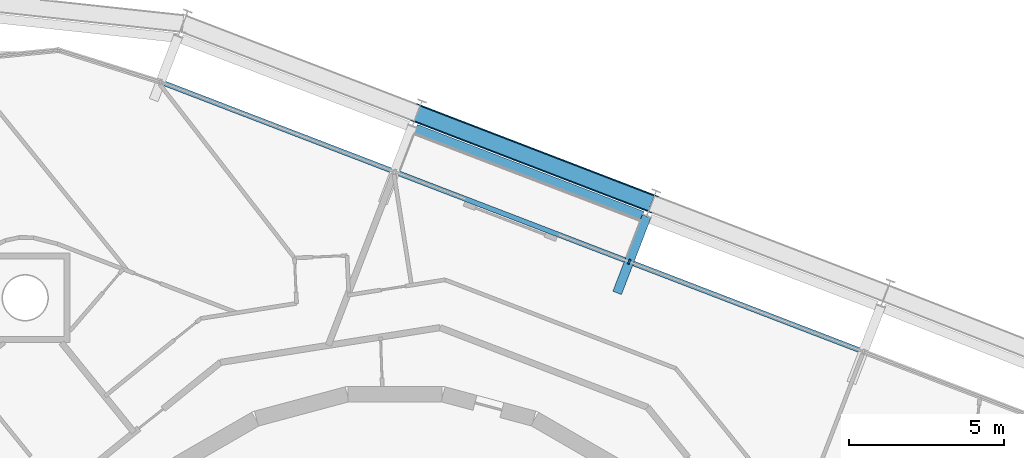
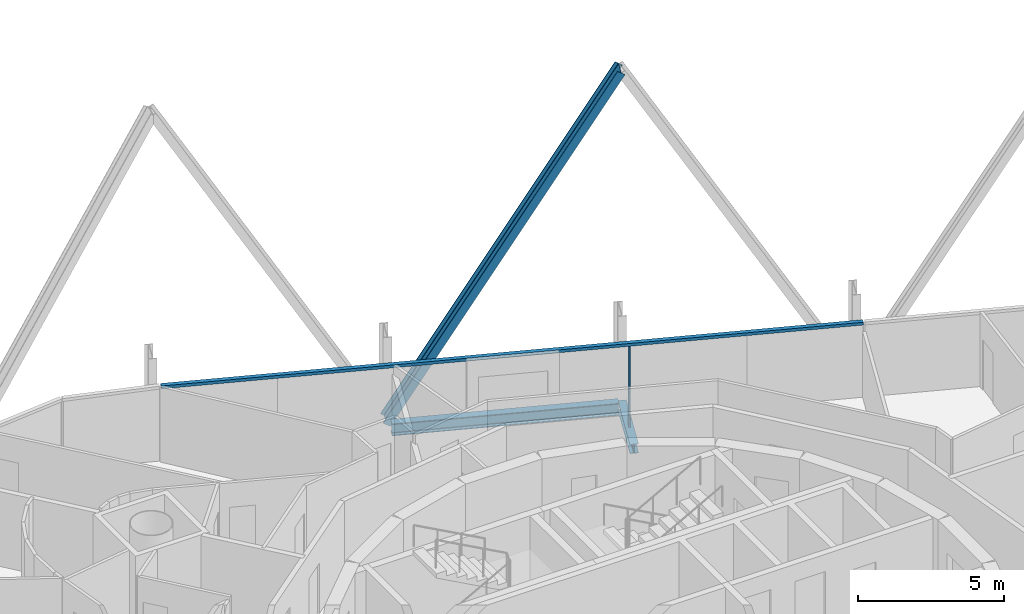
# One storey, part 7 of 18: 3 members, 2 beams, 1 element without a shape of its own.
"""IFC4 building model written with IfcOpenShell, lengths in metres."""

import ifcopenshell
import ifcopenshell.guid

model = None  # the IFC model being written
_history = None  # IfcOwnerHistory: only IFC2X3 demands one
_inside = {}  # id of a spatial element -> (the spatial element, [elements in it])
_under = {}  # id of a project, library or spatial element -> (it, [spatial elements below it])
_declared = {}  # id of a project -> (the project, [libraries it declares])
_typed = {}  # id of a type object -> (the type object, [elements of that type])
_made_of = {}  # id of a material, layer set ... -> (it, [elements and type objects made of it])


def new_model(schema):
    """Start an empty IFC model of exactly this schema.

    Asked for "IFC4X3", IfcOpenShell would pick the latest addendum, in which some entities
    have other attributes; the version numbers below select the first issue.
    IFC2X3 requires an IfcOwnerHistory on every rooted entity: one is made here for all.
    """
    global model, _history
    if schema == "IFC4X3":
        model = ifcopenshell.file(schema_version=(4, 3, 0, 0))
    else:
        model = ifcopenshell.file(schema=schema)
    _inside.clear()
    _under.clear()
    _declared.clear()
    _typed.clear()
    _made_of.clear()
    _history = None
    if model.schema == "IFC2X3":
        org = make("IfcOrganization", Name="unknown")
        user = make(
            "IfcPersonAndOrganization",
            ThePerson=make("IfcPerson", FamilyName="unknown"),
            TheOrganization=org,
        )
        app = make(
            "IfcApplication",
            ApplicationDeveloper=org,
            Version="unknown",
            ApplicationFullName="unknown",
            ApplicationIdentifier="unknown",
        )
        _history = make(
            "IfcOwnerHistory",
            OwningUser=user,
            OwningApplication=app,
            ChangeAction="ADDED",
            CreationDate=0,
        )
    return model


def make(cls, **values):
    """One entity of the class cls with the attributes given. An attribute that is None is left unset."""
    return model.create_entity(
        cls, **{name: value for name, value in values.items() if value is not None}
    )


def rooted(cls, **values):
    """An entity with a GlobalId (a new one), such as an element, a storey or a relation."""
    return make(cls, GlobalId=ifcopenshell.guid.new(), OwnerHistory=_history, **values)


def si_unit(unit_type, name, prefix=None):
    """IfcSIUnit, for example si_unit("LENGTHUNIT", "METRE", prefix="MILLI")."""
    return make("IfcSIUnit", UnitType=unit_type, Prefix=prefix, Name=name)


def assignment(units):
    """IfcUnitAssignment: the units of a project."""
    return None if units is None else make("IfcUnitAssignment", Units=units)


def point(xyz):
    """IfcCartesianPoint."""
    return None if xyz is None else make("IfcCartesianPoint", Coordinates=xyz)


def direction(xyz):
    """IfcDirection."""
    return None if xyz is None else make("IfcDirection", DirectionRatios=xyz)


def frame(location, z_axis=None, x_axis=None):
    """IfcAxis2Placement3D, a coordinate frame: its origin and axes. An axis left out is left unset."""
    return make(
        "IfcAxis2Placement3D",
        Location=point(location),
        Axis=direction(z_axis),
        RefDirection=direction(x_axis),
    )


def frame_2d(location, x_axis=None):
    """IfcAxis2Placement2D, a coordinate frame in the plane: its origin and x axis."""
    return make(
        "IfcAxis2Placement2D", Location=point(location), RefDirection=direction(x_axis)
    )


def origin():
    """The frame at (0, 0, 0) with its axes left unset."""
    return frame((0.0, 0.0, 0.0))


def origin_2d():
    """The frame at (0, 0) in the plane with its x axis left unset."""
    return frame_2d((0.0, 0.0))


def place(relative_to, where):
    """IfcLocalPlacement: puts the frame where relative to a parent placement (None: the world)."""
    return make(
        "IfcLocalPlacement", PlacementRelTo=relative_to, RelativePlacement=where
    )


def context(
    kind, dimensions, precision=None, world=None, true_north=None, identifier=None
):
    """IfcGeometricRepresentationContext, for example the 3D "Model" context."""
    return make(
        "IfcGeometricRepresentationContext",
        ContextIdentifier=identifier,
        ContextType=kind,
        CoordinateSpaceDimension=dimensions,
        Precision=precision,
        WorldCoordinateSystem=world,
        TrueNorth=true_north,
    )


def subcontext(parent, identifier, kind, view, scale=None):
    """IfcGeometricRepresentationSubContext, for example "Body" below "Model"."""
    return make(
        "IfcGeometricRepresentationSubContext",
        ContextIdentifier=identifier,
        ContextType=kind,
        ParentContext=parent,
        TargetScale=scale,
        TargetView=view,
    )


def project(units=None, contexts=None):
    """IfcProject with its units and contexts."""
    return rooted(
        "IfcProject",
        Name="project",
        RepresentationContexts=contexts,
        UnitsInContext=assignment(units),
    )


def spatial(cls, under=None, at=None, **own):
    """A site, building, storey or space (cls), placed at a placement, below another one or the project."""
    s = rooted(cls, ObjectPlacement=at, **own)
    if under is not None:
        _under.setdefault(under.id(), (under, []))[1].append(s)
    return s


def profile(cls, at=None, kind="AREA", **sizes):
    """A parametric profile (cls). Its sizes go by their IFC names, for example OverallWidth=200.0."""
    return make(cls, ProfileType=kind, Position=at, **sizes)


def rectangle(**sizes):
    """IfcRectangleProfileDef."""
    return profile("IfcRectangleProfileDef", **sizes)


def i_section(**sizes):
    """IfcIShapeProfileDef."""
    return profile("IfcIShapeProfileDef", **sizes)


def extrude(swept, where, along, depth):
    """IfcExtrudedAreaSolid: the profile swept, set in the frame where, extruded along a direction by depth."""
    return make(
        "IfcExtrudedAreaSolid",
        SweptArea=swept,
        Position=where,
        ExtrudedDirection=direction(along),
        Depth=depth,
    )


def shape(context_of_items, identifier, shape_type, items):
    """IfcShapeRepresentation: the items that make up one representation, for example the "Body"."""
    return make(
        "IfcShapeRepresentation",
        ContextOfItems=context_of_items,
        RepresentationIdentifier=identifier,
        RepresentationType=shape_type,
        Items=items,
    )


def material(Name=None, Category=None):
    """IfcMaterial."""
    return make("IfcMaterial", Name=Name, Category=Category)


def layer(
    of_material, thickness, ventilated=None, Name=None, Category=None, Priority=None
):
    """IfcMaterialLayer: one layer of a wall or slab, of a material (None: an air gap)."""
    return make(
        "IfcMaterialLayer",
        Material=of_material,
        LayerThickness=thickness,
        IsVentilated=ventilated,
        Name=Name,
        Category=Category,
        Priority=Priority,
    )


def layer_set(layers, Name=None):
    """IfcMaterialLayerSet."""
    return make("IfcMaterialLayerSet", MaterialLayers=layers, LayerSetName=Name)


def material_profile(
    of_material, cross_section, Name=None, Category=None, Priority=None
):
    """IfcMaterialProfile: a cross section and its material."""
    return make(
        "IfcMaterialProfile",
        Name=Name,
        Material=of_material,
        Profile=cross_section,
        Priority=Priority,
        Category=Category,
    )


def profile_set(profiles, Name=None, composite=None):
    """IfcMaterialProfileSet."""
    return make(
        "IfcMaterialProfileSet",
        Name=Name,
        MaterialProfiles=profiles,
        CompositeProfile=composite,
    )


def made_of(thing, what):
    """Note that an element or type object is made of a material, layer set ...; save() writes the relation."""
    if what is not None:
        _made_of.setdefault(what.id(), (what, []))[1].append(thing)
    return thing


def type_object(cls, material=None, **own):
    """A type object (cls), such as IfcWallType, which elements share."""
    return made_of(rooted(cls, **own), material)


def element(
    cls,
    number,
    at=None,
    inside=None,
    cuts=None,
    type_object=None,
    material=None,
    context=None,
    identifier="Body",
    shape_type=None,
    held_by="IfcProductDefinitionShape",
    body=None,
    shapes=None,
    **own,
):
    """One element of the class cls, such as IfcWall. Its Tag is "e" and its number.

    at: its placement. inside: the storey or other place that contains it. cuts: it is an
    opening in that element (IfcRelVoidsElement). A single representation is given by context,
    identifier, shape_type and body (its items); several are given by shapes. held_by: the class
    of the entity that holds the representations. save() writes the other relations.
    """
    e = rooted(cls, Tag="e%d" % number, ObjectPlacement=at, **own)
    if body is not None:
        shapes = [shape(context, identifier, shape_type, body)]
    if shapes is not None:
        e.Representation = make(held_by, Representations=shapes)
    if inside is not None:
        _inside.setdefault(inside.id(), (inside, []))[1].append(e)
    if cuts is not None:
        rooted(
            "IfcRelVoidsElement", RelatingBuildingElement=cuts, RelatedOpeningElement=e
        )
    if type_object is not None:
        _typed.setdefault(type_object.id(), (type_object, []))[1].append(e)
    return made_of(e, material)


def aggregate(whole, parts):
    """IfcRelAggregates: a whole, such as a stair, and the parts it consists of."""
    return rooted("IfcRelAggregates", RelatingObject=whole, RelatedObjects=parts)


def save(model, path):
    """Write the relations noted so far, then the file.

    IfcRelAggregates (storeys below a building ...), IfcRelContainedInSpatialStructure (elements
    in a storey), IfcRelDefinesByType, IfcRelAssociatesMaterial and IfcRelDeclares: one each for
    every whole, place, type object, material and project.
    """
    for whole, parts in _under.values():
        aggregate(whole, parts)
    for where, things in _inside.values():
        rooted(
            "IfcRelContainedInSpatialStructure",
            RelatedElements=things,
            RelatingStructure=where,
        )
    for kind, things in _typed.values():
        rooted("IfcRelDefinesByType", RelatedObjects=things, RelatingType=kind)
    for what, things in _made_of.values():
        rooted("IfcRelAssociatesMaterial", RelatedObjects=things, RelatingMaterial=what)
    for by, libraries in _declared.values():
        rooted("IfcRelDeclares", RelatingContext=by, RelatedDefinitions=libraries)
    model.write(path)


model = new_model("IFC4")

# Units and contexts
model_context = context("Model", 3, precision=1e-05, world=origin(), true_north=direction((0.0, 1.0)))
body_context = subcontext(model_context, "Body", "Model", "MODEL_VIEW")
ifc_project = project(units=[si_unit("LENGTHUNIT", "METRE"), si_unit("AREAUNIT", "SQUARE_METRE"), si_unit("VOLUMEUNIT", "CUBIC_METRE"), si_unit("PLANEANGLEUNIT", "RADIAN"), si_unit("MASSUNIT", "GRAM", prefix="KILO")], contexts=[model_context])

# Site, building, storey
site_placement = place(None, origin())
site = spatial("IfcSite", under=ifc_project, at=site_placement, CompositionType="ELEMENT")
building_placement = place(site_placement, origin())
building = spatial("IfcBuilding", under=site, at=building_placement, Name="Spindle Arch Residences", CompositionType="ELEMENT")
storey_placement = place(building_placement, frame((0.0, 0.0, 277.39990234375)))
storey = spatial("IfcBuildingStorey", under=building, at=storey_placement, Name="L71", CompositionType="ELEMENT", Elevation=277.39990234375)

# Curtain wall, members
ifc_material_1 = material(Name="Aluminium bronze unitised frame with tinted glass", Category="aluminium")
ifc_layer = layer(ifc_material_1, 0.159912109375)
ifc_layer_set = layer_set([ifc_layer], Name="CW-C typical residential unitised wall")
curtain_wall_type = type_object("IfcCurtainWallType", Name="CW-C typical residential unitised wall", PredefinedType="NOTDEFINED", material=ifc_layer_set)
curtain_wall_placement = place(storey_placement, origin())
curtain_wall = element("IfcCurtainWall", 1, at=curtain_wall_placement, inside=storey, type_object=curtain_wall_type, Name="CW-C L71 run 2", PredefinedType="NOTDEFINED")
ifc_material_2 = material(Name="Aluminium bronze anodised mullion", Category="aluminium")
ifc_material_profile_1 = material_profile(ifc_material_2, rectangle(XDim=0.159912109375, YDim=0.06005859375, at=origin_2d()), Name="MU 60x160")
ifc_profile_set_1 = profile_set([ifc_material_profile_1], Name="Aluminium bronze anodised mullion")
member_type_1 = type_object("IfcMemberType", Name="Bronze mullion 60x160", PredefinedType="MULLION", material=ifc_profile_set_1)
member_1_placement = place(storey_placement, frame((7.560302734375, 15.9248046875, -0.3798828125), z_axis=(0.0, 0.0, 1.0), x_axis=(-0.358367949545, -0.933580426497, 0.0)))
member_1 = element("IfcMember", 2, at=member_1_placement, type_object=member_type_1, Name="CW-C mullion 06", PredefinedType="MULLION", context=body_context, shape_type="SweptSolid", body=[
    extrude(rectangle(XDim=0.159912109375, YDim=0.06005859375, at=origin_2d()), origin(), (0.0, 0.0, 1.0), 3.3798828125),
])
ifc_material_3 = material(Name="Aluminium bronze anodised transom", Category="aluminium")
ifc_material_profile_2 = material_profile(ifc_material_3, rectangle(XDim=0.159912109375, YDim=0.1201171875, at=origin_2d()), Name="TR 120x160")
ifc_profile_set_2 = profile_set([ifc_material_profile_2], Name="Aluminium bronze anodised transom")
member_type_2 = type_object("IfcMemberType", Name="Bronze transom 120x160", PredefinedType="USERDEFINED", material=ifc_profile_set_2)
member_2_placement = place(storey_placement, frame((15.1015625, 13.0302734375, 3.06005859375), z_axis=(-0.933583473728, 0.358360011138, 0.0), x_axis=(-0.358360011138, -0.933583473728, 0.0)))
member_2 = element("IfcMember", 3, at=member_2_placement, type_object=member_type_2, Name="CW-C transom 00", ObjectType="TRANSOM", PredefinedType="USERDEFINED", context=body_context, shape_type="SweptSolid", body=[
    extrude(rectangle(XDim=0.159912109375, YDim=0.1201171875, at=origin_2d()), origin(), (0.0, 0.0, 1.0), 24.262939453125),
])
aggregate(curtain_wall, [member_2, member_1])

# Member
ifc_material_4 = material(Name="Steel S460ML, intumescent coating R 240", Category="steel")
ifc_material_profile_3 = material_profile(ifc_material_4, i_section(OverallWidth=0.300048828125, OverallDepth=0.60009765625, WebThickness=0.015380859375, FlangeThickness=0.030029296875, FilletRadius=0.027099609375, at=origin_2d()), Name="HEB 600")
ifc_profile_set_3 = profile_set([ifc_material_profile_3], Name="Steel S460ML, intumescent coating R 240")
member_type_3 = type_object("IfcMemberType", Name="Diagrid diagonal HEB 600", PredefinedType="BRACE", material=ifc_profile_set_3)
member_3_placement = place(storey_placement, frame((0.715087890625, 20.71630859375, -0.6298828125), z_axis=(0.473598267241, -0.181798309146, 0.861773784736), x_axis=(-0.804534587734, 0.308833536387, 0.5072927596)))
element("IfcMember", 4, at=member_3_placement, inside=storey, type_object=member_type_3, Name="Diagrid diagonal 7.2.7", PredefinedType="BRACE", context=body_context, shape_type="SweptSolid", body=[
    extrude(i_section(OverallWidth=0.300048828125, OverallDepth=0.60009765625, WebThickness=0.015380859375, FlangeThickness=0.030029296875, FilletRadius=0.027099609375, at=origin_2d()), origin(), (0.0, 0.0, 1.0), 15.982177734375),
])

# Beams
ifc_material_5 = material(Name="Steel S460ML, intumescent coating R 120", Category="steel")
ifc_material_profile_4 = material_profile(ifc_material_5, i_section(OverallWidth=0.300048828125, OverallDepth=0.5, WebThickness=0.014404296875, FlangeThickness=0.028076171875, FilletRadius=0.027099609375, at=origin_2d()), Name="HEB 500")
ifc_profile_set_4 = profile_set([ifc_material_profile_4], Name="Steel S460ML, intumescent coating R 120")
beam_type_1 = type_object("IfcBeamType", Name="Exoskeleton edge beam HEB 500", PredefinedType="BEAM", material=ifc_profile_set_4)
beam_1_placement = place(storey_placement, frame((7.990966796875, 17.4091796875, -0.6298828125), z_axis=(-0.933573929793, 0.358384873579, 0.0), x_axis=(-0.358384873579, -0.933573929793, 0.0)))
element("IfcBeam", 5, at=beam_1_placement, inside=storey, type_object=beam_type_1, Name="Exoskeleton edge beam 7", PredefinedType="BEAM", context=body_context, shape_type="SweptSolid", body=[
    extrude(i_section(OverallWidth=0.300048828125, OverallDepth=0.5, WebThickness=0.014404296875, FlangeThickness=0.028076171875, FilletRadius=0.027099609375, at=origin_2d()), origin(), (0.0, 0.0, 1.0), 7.84765625),
])
ifc_material_6 = material(Name="Steel S460ML, intumescent coating R 120", Category="steel")
ifc_material_profile_5 = material_profile(ifc_material_6, i_section(OverallWidth=0.300048828125, OverallDepth=0.389892578125, WebThickness=0.010986328125, FlangeThickness=0.01904296875, FilletRadius=0.027099609375, at=origin_2d()), Name="HEA 400")
ifc_profile_set_5 = profile_set([ifc_material_profile_5], Name="Steel S460ML, intumescent coating R 120")
beam_type_2 = type_object("IfcBeamType", Name="Floor outrigger HEA 400", PredefinedType="BEAM", material=ifc_profile_set_5)
beam_2_placement = place(storey_placement, frame((8.123046875, 17.390625, -0.574951171875), z_axis=(-0.358392499624, -0.933571002234, 0.0), x_axis=(0.933571002234, -0.358392499624, 0.0)))
element("IfcBeam", 6, at=beam_2_placement, inside=storey, type_object=beam_type_2, Name="Floor outrigger 7", PredefinedType="BEAM", context=body_context, shape_type="SweptSolid", body=[
    extrude(i_section(OverallWidth=0.300048828125, OverallDepth=0.389892578125, WebThickness=0.010986328125, FlangeThickness=0.01904296875, FilletRadius=0.027099609375, at=origin_2d()), origin(), (0.0, 0.0, 1.0), 2.64990234375),
])

save(model, "model.ifc")
